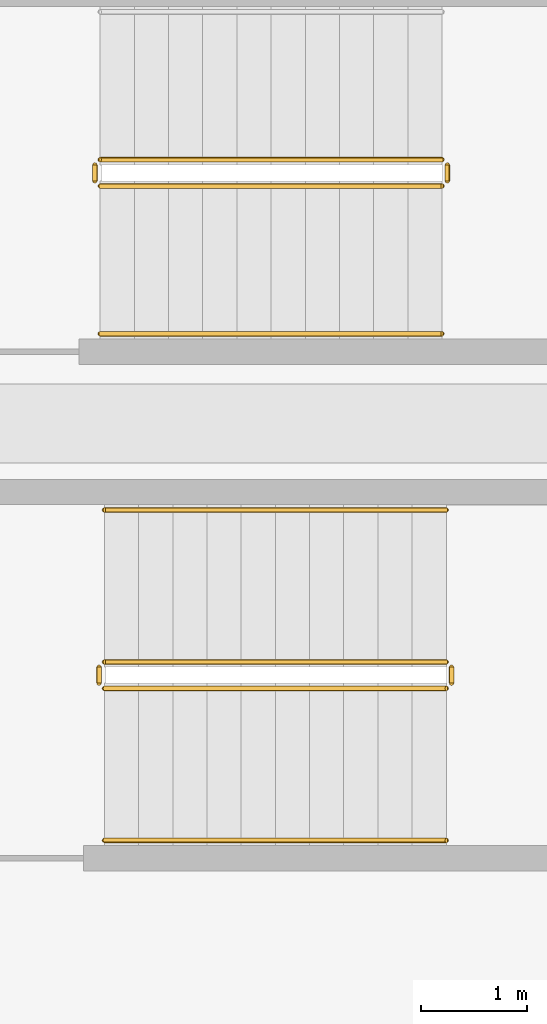
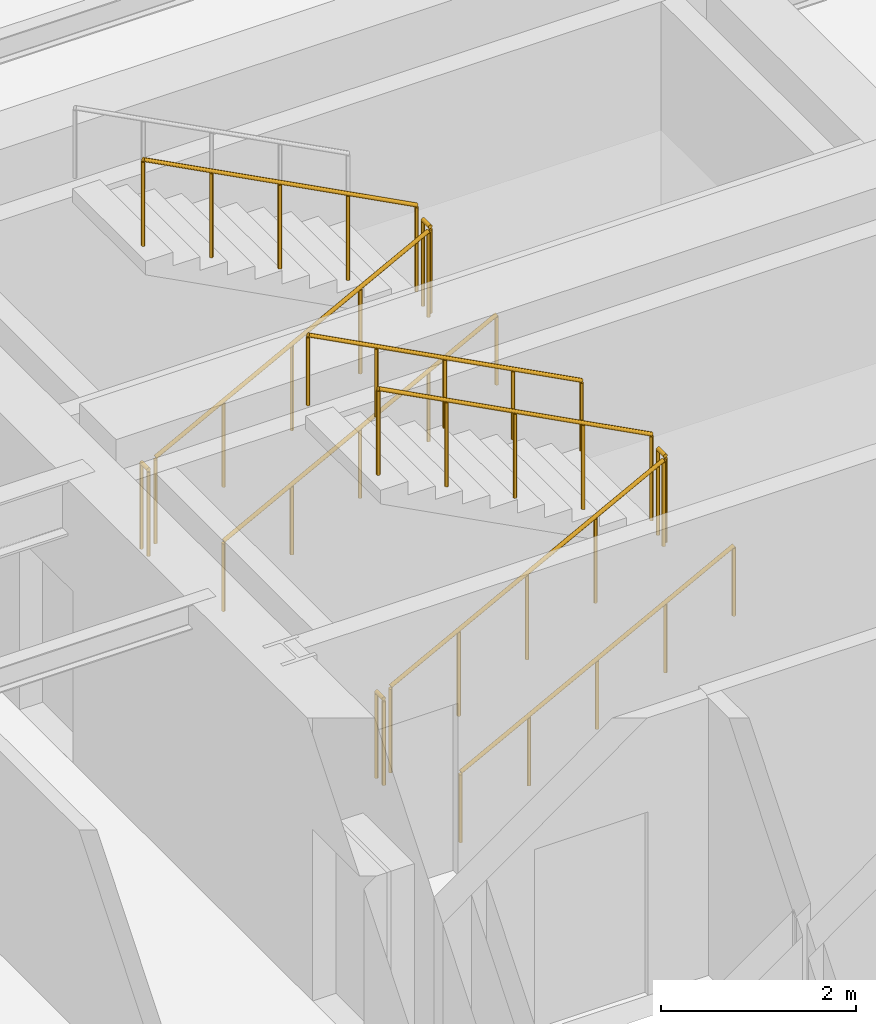
# One storey, part 11 of 12: 11 railings.
"""IFC4 building model written with IfcOpenShell, lengths in metres."""

from ifc_helpers import new_model, si_unit, direction, frame, origin, origin_2d, place, context, subcontext, project, spatial, circle, extrude, material, type_object, element, save


model = new_model("IFC4")

# Units and contexts
model_context = context("Model", 3, precision=1e-05, world=origin(), true_north=direction((0.0, 1.0)))
body_context = subcontext(model_context, "Body", "Model", "MODEL_VIEW")
ifc_project = project(units=[si_unit("LENGTHUNIT", "METRE"), si_unit("AREAUNIT", "SQUARE_METRE"), si_unit("VOLUMEUNIT", "CUBIC_METRE"), si_unit("PLANEANGLEUNIT", "RADIAN"), si_unit("MASSUNIT", "GRAM", prefix="KILO")], contexts=[model_context])

# Site, building, storey
site_placement = place(None, origin())
site = spatial("IfcSite", under=ifc_project, at=site_placement, CompositionType="ELEMENT")
building_placement = place(site_placement, origin())
building = spatial("IfcBuilding", under=site, at=building_placement, Name="Kolvaren Arena Tower", CompositionType="ELEMENT")
storey_placement = place(building_placement, frame((0.0, 0.0, 188.449951171875)))
storey = spatial("IfcBuildingStorey", under=building, at=storey_placement, Name="L45", CompositionType="ELEMENT", Elevation=188.449951171875)

# Railings
ifc_material_1 = material(Name="Painted galvanized steel", Category="steel")
railing_type_1 = type_object("IfcRailingType", Name="GUARD-ST-110", PredefinedType="GUARDRAIL", material=ifc_material_1)
railing_1_placement = place(storey_placement, frame((52.719970703125, 31.639892578125, 0.17041015625)))
element("IfcRailing", 1, at=railing_1_placement, inside=storey, type_object=railing_type_1, Name="L45 ST-E1 stair guard 1", PredefinedType="GUARDRAIL", context=body_context, shape_type="SweptSolid", body=[
    extrude(circle(Radius=0.02392578125, at=origin_2d()), frame((0.0, 0.0, 1.076171875), z_axis=(0.884993431791, 0.0, 0.465603506952), x_axis=(0.0, 1.0, 0.0)), (0.0, 0.0, 1.0), 3.6611328125),
    extrude(circle(Radius=0.02099609375, at=origin_2d()), origin(), (0.0, 0.0, 1.0), 1.052001953125),
    extrude(circle(Radius=0.02099609375, at=origin_2d()), frame((0.81005859375, 0.0, 0.42626953125)), (0.0, 0.0, 1.0), 1.052001953125),
    extrude(circle(Radius=0.02099609375, at=origin_2d()), frame((1.6201171875, 0.0, 0.852294921875)), (0.0, 0.0, 1.0), 1.052001953125),
    extrude(circle(Radius=0.02099609375, at=origin_2d()), frame((2.429931640625, 0.0, 1.2783203125)), (0.0, 0.0, 1.0), 1.052001953125),
    extrude(circle(Radius=0.02099609375, at=origin_2d()), frame((3.239990234375, 0.0, 1.70458984375)), (0.0, 0.0, 1.0), 1.052001953125),
])
railing_2_placement = place(storey_placement, frame((56.010009765625, 31.68994140625, 1.875)))
element("IfcRailing", 2, at=railing_2_placement, inside=storey, type_object=railing_type_1, Name="L45 ST-E1 stair guard 2", PredefinedType="GUARDRAIL", context=body_context, shape_type="SweptSolid", body=[
    extrude(circle(Radius=0.02392578125, at=origin_2d()), frame((0.0, 0.0, 1.076171875), z_axis=(0.0, 1.0, 0.0), x_axis=(-1.0, 0.0, 0.0)), (0.0, 0.0, 1.0), 0.150146484375),
    extrude(circle(Radius=0.02099609375, at=origin_2d()), origin(), (0.0, 0.0, 1.0), 1.052001953125),
    extrude(circle(Radius=0.02099609375, at=origin_2d()), frame((0.0, 0.150146484375, 0.0)), (0.0, 0.0, 1.0), 1.052001953125),
])
railing_3_placement = place(storey_placement, frame((55.9599609375, 31.889892578125, 2.04541015625)))
element("IfcRailing", 3, at=railing_3_placement, inside=storey, type_object=railing_type_1, Name="L45 ST-E1 stair guard 3", PredefinedType="GUARDRAIL", context=body_context, shape_type="SweptSolid", body=[
    extrude(circle(Radius=0.02392578125, at=origin_2d()), frame((0.0, 0.0, 1.076171875), z_axis=(-0.884993431791, 0.0, 0.465603506952), x_axis=(0.0, -1.0, 0.0)), (0.0, 0.0, 1.0), 3.6611328125),
    extrude(circle(Radius=0.02099609375, at=origin_2d()), origin(), (0.0, 0.0, 1.0), 1.052001953125),
    extrude(circle(Radius=0.02099609375, at=origin_2d()), frame((-0.81005859375, 0.0, 0.42626953125)), (0.0, 0.0, 1.0), 1.052001953125),
    extrude(circle(Radius=0.02099609375, at=origin_2d()), frame((-1.6201171875, 0.0, 0.852294921875)), (0.0, 0.0, 1.0), 1.052001953125),
    extrude(circle(Radius=0.02099609375, at=origin_2d()), frame((-2.429931640625, 0.0, 1.2783203125)), (0.0, 0.0, 1.0), 1.052001953125),
    extrude(circle(Radius=0.02099609375, at=origin_2d()), frame((-3.239990234375, 0.0, 1.70458984375)), (0.0, 0.0, 1.0), 1.052001953125),
])
railing_4_placement = place(storey_placement, frame((52.669921875, 31.68994140625, 0.0)))
element("IfcRailing", 4, at=railing_4_placement, inside=storey, type_object=railing_type_1, Name="L45 ST-E1 stair guard 4", PredefinedType="GUARDRAIL", context=body_context, shape_type="SweptSolid", body=[
    extrude(circle(Radius=0.02392578125, at=origin_2d()), frame((0.0, 0.0, 1.076171875), z_axis=(0.0, 1.0, 0.0), x_axis=(-1.0, 0.0, 0.0)), (0.0, 0.0, 1.0), 0.150146484375),
    extrude(circle(Radius=0.02099609375, at=origin_2d()), origin(), (0.0, 0.0, 1.0), 1.052001953125),
    extrude(circle(Radius=0.02099609375, at=origin_2d()), frame((0.0, 0.150146484375, 0.0)), (0.0, 0.0, 1.0), 1.052001953125),
])
railing_5_placement = place(storey_placement, frame((52.679931640625, 36.39990234375, 0.17041015625)))
element("IfcRailing", 5, at=railing_5_placement, inside=storey, type_object=railing_type_1, Name="L45 ST-E2 stair guard 1", PredefinedType="GUARDRAIL", context=body_context, shape_type="SweptSolid", body=[
    extrude(circle(Radius=0.02392578125, at=origin_2d()), frame((0.0, 0.0, 1.076171875), z_axis=(0.884993431791, 0.0, 0.465603506952), x_axis=(0.0, 1.0, 0.0)), (0.0, 0.0, 1.0), 3.6611328125),
    extrude(circle(Radius=0.02099609375, at=origin_2d()), origin(), (0.0, 0.0, 1.0), 1.052001953125),
    extrude(circle(Radius=0.02099609375, at=origin_2d()), frame((0.81005859375, 0.0, 0.42626953125)), (0.0, 0.0, 1.0), 1.052001953125),
    extrude(circle(Radius=0.02099609375, at=origin_2d()), frame((1.6201171875, 0.0, 0.852294921875)), (0.0, 0.0, 1.0), 1.052001953125),
    extrude(circle(Radius=0.02099609375, at=origin_2d()), frame((2.429931640625, 0.0, 1.2783203125)), (0.0, 0.0, 1.0), 1.052001953125),
    extrude(circle(Radius=0.02099609375, at=origin_2d()), frame((3.239990234375, 0.0, 1.70458984375)), (0.0, 0.0, 1.0), 1.052001953125),
])
railing_6_placement = place(storey_placement, frame((55.969970703125, 36.449951171875, 1.875)))
element("IfcRailing", 6, at=railing_6_placement, inside=storey, type_object=railing_type_1, Name="L45 ST-E2 stair guard 2", PredefinedType="GUARDRAIL", context=body_context, shape_type="SweptSolid", body=[
    extrude(circle(Radius=0.02392578125, at=origin_2d()), frame((0.0, 0.0, 1.076171875), z_axis=(0.0, 1.0, 0.0), x_axis=(-1.0, 0.0, 0.0)), (0.0, 0.0, 1.0), 0.150146484375),
    extrude(circle(Radius=0.02099609375, at=origin_2d()), origin(), (0.0, 0.0, 1.0), 1.052001953125),
    extrude(circle(Radius=0.02099609375, at=origin_2d()), frame((0.0, 0.150146484375, 0.0)), (0.0, 0.0, 1.0), 1.052001953125),
])
railing_7_placement = place(storey_placement, frame((55.919921875, 36.64990234375, 2.04541015625)))
element("IfcRailing", 7, at=railing_7_placement, inside=storey, type_object=railing_type_1, Name="L45 ST-E2 stair guard 3", PredefinedType="GUARDRAIL", context=body_context, shape_type="SweptSolid", body=[
    extrude(circle(Radius=0.02392578125, at=origin_2d()), frame((0.0, 0.0, 1.076171875), z_axis=(-0.884993431791, 0.0, 0.465603506952), x_axis=(0.0, -1.0, 0.0)), (0.0, 0.0, 1.0), 3.6611328125),
    extrude(circle(Radius=0.02099609375, at=origin_2d()), origin(), (0.0, 0.0, 1.0), 1.052001953125),
    extrude(circle(Radius=0.02099609375, at=origin_2d()), frame((-0.81005859375, 0.0, 0.42626953125)), (0.0, 0.0, 1.0), 1.052001953125),
    extrude(circle(Radius=0.02099609375, at=origin_2d()), frame((-1.6201171875, 0.0, 0.852294921875)), (0.0, 0.0, 1.0), 1.052001953125),
    extrude(circle(Radius=0.02099609375, at=origin_2d()), frame((-2.429931640625, 0.0, 1.2783203125)), (0.0, 0.0, 1.0), 1.052001953125),
    extrude(circle(Radius=0.02099609375, at=origin_2d()), frame((-3.239990234375, 0.0, 1.70458984375)), (0.0, 0.0, 1.0), 1.052001953125),
])
railing_8_placement = place(storey_placement, frame((52.6298828125, 36.449951171875, 0.0)))
element("IfcRailing", 8, at=railing_8_placement, inside=storey, type_object=railing_type_1, Name="L45 ST-E2 stair guard 4", PredefinedType="GUARDRAIL", context=body_context, shape_type="SweptSolid", body=[
    extrude(circle(Radius=0.02392578125, at=origin_2d()), frame((0.0, 0.0, 1.076171875), z_axis=(0.0, 1.0, 0.0), x_axis=(-1.0, 0.0, 0.0)), (0.0, 0.0, 1.0), 0.150146484375),
    extrude(circle(Radius=0.02099609375, at=origin_2d()), origin(), (0.0, 0.0, 1.0), 1.052001953125),
    extrude(circle(Radius=0.02099609375, at=origin_2d()), frame((0.0, 0.150146484375, 0.0)), (0.0, 0.0, 1.0), 1.052001953125),
])
ifc_material_2 = material(Name="Brushed stainless steel handrail", Category="steel")
railing_type_2 = type_object("IfcRailingType", Name="HRAIL-900", PredefinedType="HANDRAIL", material=ifc_material_2)
railing_9_placement = place(storey_placement, frame((52.719970703125, 30.199951171875, 0.17041015625)))
element("IfcRailing", 9, at=railing_9_placement, inside=storey, type_object=railing_type_2, Name="L45 ST-E1 stair handrail 1", PredefinedType="HANDRAIL", context=body_context, shape_type="SweptSolid", body=[
    extrude(circle(Radius=0.02392578125, at=origin_2d()), frame((0.0, 0.0, 0.8759765625), z_axis=(0.884993431791, 0.0, 0.465603506952), x_axis=(0.0, 1.0, 0.0)), (0.0, 0.0, 1.0), 3.6611328125),
    extrude(circle(Radius=0.02099609375, at=origin_2d()), origin(), (0.0, 0.0, 1.0), 0.851806640625),
    extrude(circle(Radius=0.02099609375, at=origin_2d()), frame((0.81005859375, 0.0, 0.42626953125)), (0.0, 0.0, 1.0), 0.851806640625),
    extrude(circle(Radius=0.02099609375, at=origin_2d()), frame((1.6201171875, 0.0, 0.852294921875)), (0.0, 0.0, 1.0), 0.851806640625),
    extrude(circle(Radius=0.02099609375, at=origin_2d()), frame((2.429931640625, 0.0, 1.2783203125)), (0.0, 0.0, 1.0), 0.851806640625),
    extrude(circle(Radius=0.02099609375, at=origin_2d()), frame((3.239990234375, 0.0, 1.70458984375)), (0.0, 0.0, 1.0), 0.851806640625),
])
railing_10_placement = place(storey_placement, frame((55.9599609375, 33.330078125, 2.04541015625)))
element("IfcRailing", 10, at=railing_10_placement, inside=storey, type_object=railing_type_2, Name="L45 ST-E1 stair handrail 2", PredefinedType="HANDRAIL", context=body_context, shape_type="SweptSolid", body=[
    extrude(circle(Radius=0.02392578125, at=origin_2d()), frame((0.0, 0.0, 0.8759765625), z_axis=(-0.884993431791, 0.0, 0.465603506952), x_axis=(0.0, -1.0, 0.0)), (0.0, 0.0, 1.0), 3.6611328125),
    extrude(circle(Radius=0.02099609375, at=origin_2d()), origin(), (0.0, 0.0, 1.0), 0.851806640625),
    extrude(circle(Radius=0.02099609375, at=origin_2d()), frame((-0.81005859375, 0.0, 0.42626953125)), (0.0, 0.0, 1.0), 0.851806640625),
    extrude(circle(Radius=0.02099609375, at=origin_2d()), frame((-1.6201171875, 0.0, 0.852294921875)), (0.0, 0.0, 1.0), 0.851806640625),
    extrude(circle(Radius=0.02099609375, at=origin_2d()), frame((-2.429931640625, 0.0, 1.2783203125)), (0.0, 0.0, 1.0), 0.851806640625),
    extrude(circle(Radius=0.02099609375, at=origin_2d()), frame((-3.239990234375, 0.0, 1.70458984375)), (0.0, 0.0, 1.0), 0.851806640625),
])
railing_11_placement = place(storey_placement, frame((52.679931640625, 35.0, 0.17041015625)))
element("IfcRailing", 11, at=railing_11_placement, inside=storey, type_object=railing_type_2, Name="L45 ST-E2 stair handrail 1", PredefinedType="HANDRAIL", context=body_context, shape_type="SweptSolid", body=[
    extrude(circle(Radius=0.02392578125, at=origin_2d()), frame((0.0, 0.0, 0.8759765625), z_axis=(0.884993431791, 0.0, 0.465603506952), x_axis=(0.0, 1.0, 0.0)), (0.0, 0.0, 1.0), 3.6611328125),
    extrude(circle(Radius=0.02099609375, at=origin_2d()), origin(), (0.0, 0.0, 1.0), 0.851806640625),
    extrude(circle(Radius=0.02099609375, at=origin_2d()), frame((0.81005859375, 0.0, 0.42626953125)), (0.0, 0.0, 1.0), 0.851806640625),
    extrude(circle(Radius=0.02099609375, at=origin_2d()), frame((1.6201171875, 0.0, 0.852294921875)), (0.0, 0.0, 1.0), 0.851806640625),
    extrude(circle(Radius=0.02099609375, at=origin_2d()), frame((2.429931640625, 0.0, 1.2783203125)), (0.0, 0.0, 1.0), 0.851806640625),
    extrude(circle(Radius=0.02099609375, at=origin_2d()), frame((3.239990234375, 0.0, 1.70458984375)), (0.0, 0.0, 1.0), 0.851806640625),
])

save(model, "model.ifc")
